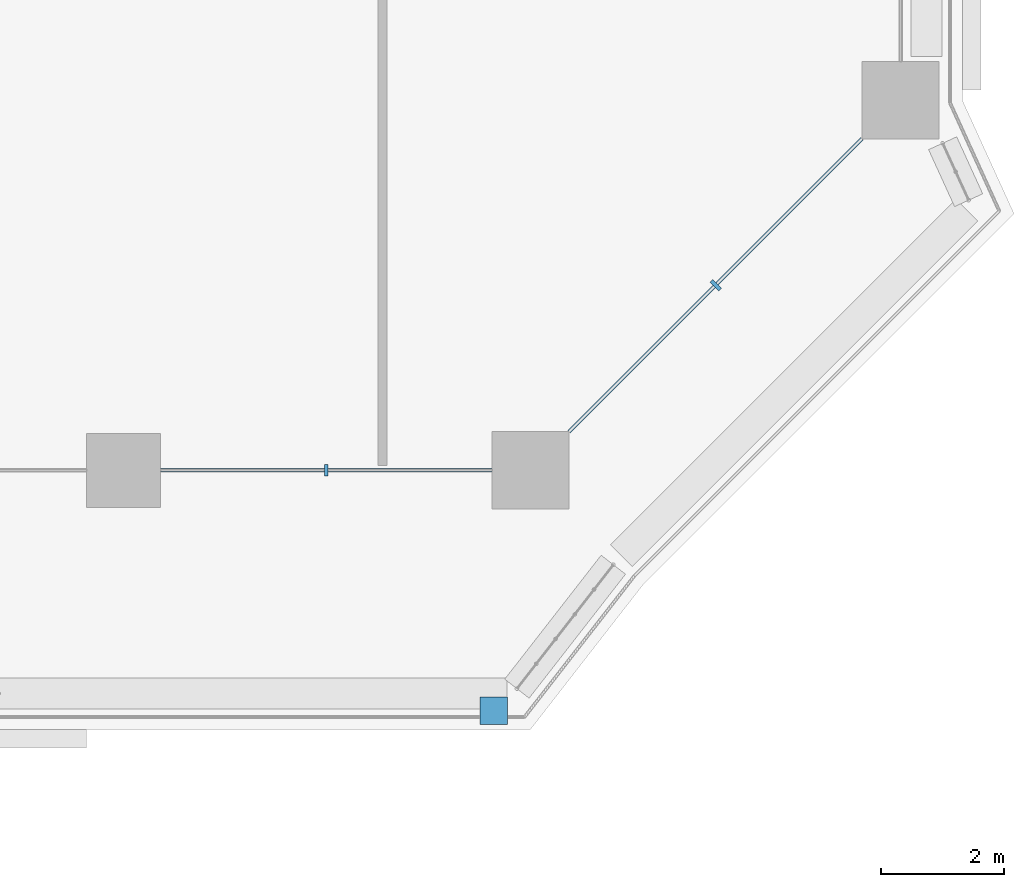
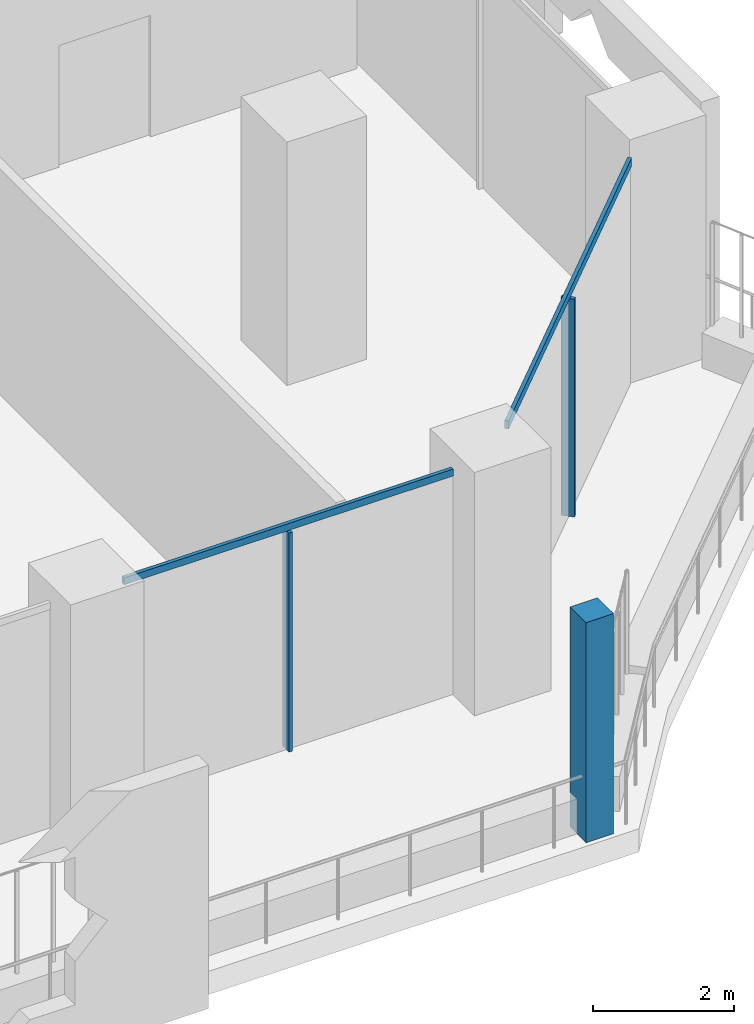
# One storey, part 6 of 27: 5 members, 3 elements without a shape of their own.
"""IFC4 building model written with IfcOpenShell, lengths in metres."""

from ifc_helpers import new_model, si_unit, direction, frame, origin, origin_2d, place, context, subcontext, project, spatial, rectangle, extrude, material, layer, layer_set, material_profile, profile_set, type_object, element, aggregate, save


model = new_model("IFC4")

# Units and contexts
model_context = context("Model", 3, precision=1e-05, world=origin(), true_north=direction((0.0, 1.0)))
body_context = subcontext(model_context, "Body", "Model", "MODEL_VIEW")
ifc_project = project(units=[si_unit("LENGTHUNIT", "METRE"), si_unit("AREAUNIT", "SQUARE_METRE"), si_unit("VOLUMEUNIT", "CUBIC_METRE"), si_unit("PLANEANGLEUNIT", "RADIAN"), si_unit("MASSUNIT", "GRAM", prefix="KILO")], contexts=[model_context])

# Site, building, storey
site_placement = place(None, origin())
site = spatial("IfcSite", under=ifc_project, at=site_placement, CompositionType="ELEMENT")
building_placement = place(site_placement, origin())
building = spatial("IfcBuilding", under=site, at=building_placement, Name="Kawkab Arch Medical Tower", CompositionType="ELEMENT")
storey_placement = place(building_placement, frame((0.0, 0.0, 39.199951171875)))
storey = spatial("IfcBuildingStorey", under=building, at=storey_placement, Name="L08", CompositionType="ELEMENT", Elevation=39.199951171875)

# Curtain wall, members
ifc_material_1 = material(Name="Bronze anodised aluminium curtain wall frame", Category="aluminium")
ifc_layer_1 = layer(ifc_material_1, 0.159912109375)
ifc_layer_set_1 = layer_set([ifc_layer_1], Name="Bronze anodised aluminium curtain wall frame")
curtain_wall_type_1 = type_object("IfcCurtainWallType", Name="CW1 ward curtain wall", PredefinedType="NOTDEFINED", material=ifc_layer_set_1)
placement = place(storey_placement, origin())
curtain_wall_1 = element("IfcCurtainWall", 1, at=placement, inside=storey, type_object=curtain_wall_type_1, Name="CW1 Ward curtain wall R05", PredefinedType="NOTDEFINED")
ifc_material_2 = material(Name="Bronze anodised aluminium curtain wall frame", Category="aluminium")
ifc_material_profile_1 = material_profile(ifc_material_2, rectangle(XDim=0.179931640625, YDim=0.06005859375, at=origin_2d()), Name="AL 60x180")
ifc_profile_set_1 = profile_set([ifc_material_profile_1], Name="Bronze anodised aluminium curtain wall frame")
member_type_1 = type_object("IfcMemberType", Name="CW1 mullion 60 x 180", PredefinedType="MULLION", material=ifc_profile_set_1)
member_1_placement = place(storey_placement, frame((70.487548828125, -25.199951171875, 0.0), z_axis=(0.0, 0.0, 1.0), x_axis=(0.0, 1.0, 0.0)))
member_1 = element("IfcMember", 2, at=member_1_placement, type_object=member_type_1, Name="CW1 mullion 3.1", PredefinedType="MULLION", context=body_context, shape_type="SweptSolid", body=[
    extrude(rectangle(XDim=0.179931640625, YDim=0.06005859375, at=origin_2d()), origin(), (0.0, 0.0, 1.0), 3.780029296875),
])
ifc_material_3 = material(Name="Bronze anodised aluminium curtain wall frame", Category="aluminium")
ifc_material_profile_2 = material_profile(ifc_material_3, rectangle(XDim=0.06005859375, YDim=0.1201171875, at=origin_2d()), Name="AL 60x120")
ifc_profile_set_2 = profile_set([ifc_material_profile_2], Name="Bronze anodised aluminium curtain wall frame")
member_type_2 = type_object("IfcMemberType", Name="CW1 transom 120 x 60", PredefinedType="USERDEFINED", material=ifc_profile_set_2)
member_2_placement = place(storey_placement, frame((67.800048828125, -25.199951171875, 3.840087890625), z_axis=(1.0, 0.0, 0.0), x_axis=(0.0, 1.0, 0.0)))
member_2 = element("IfcMember", 3, at=member_2_placement, type_object=member_type_2, Name="CW1 transom 3", ObjectType="TRANSOM", PredefinedType="USERDEFINED", context=body_context, shape_type="SweptSolid", body=[
    extrude(rectangle(XDim=0.06005859375, YDim=0.1201171875, at=origin_2d()), origin(), (0.0, 0.0, 1.0), 5.375),
])
aggregate(curtain_wall_1, [member_2, member_1])

ifc_material_4 = material(Name="Bronze anodised aluminium curtain wall frame", Category="aluminium")
ifc_layer_2 = layer(ifc_material_4, 0.159912109375)
ifc_layer_set_2 = layer_set([ifc_layer_2], Name="Bronze anodised aluminium curtain wall frame")
curtain_wall_type_2 = type_object("IfcCurtainWallType", Name="CW2 chamfer curtain wall", PredefinedType="NOTDEFINED", material=ifc_layer_set_2)
curtain_wall_2 = element("IfcCurtainWall", 4, at=placement, inside=storey, type_object=curtain_wall_type_2, Name="CW2 Chamfer curtain wall R06", PredefinedType="NOTDEFINED")
ifc_material_5 = material(Name="Bronze anodised aluminium curtain wall frame", Category="aluminium")
ifc_material_profile_3 = material_profile(ifc_material_5, rectangle(XDim=0.199951171875, YDim=0.06005859375, at=origin_2d()), Name="AL 60x200")
ifc_profile_set_3 = profile_set([ifc_material_profile_3], Name="Bronze anodised aluminium curtain wall frame")
member_type_3 = type_object("IfcMemberType", Name="CW2 mullion 60 x 200", PredefinedType="MULLION", material=ifc_profile_set_3)
member_3_placement = place(storey_placement, frame((76.800048828125, -22.199951171875, 0.0), z_axis=(0.0, 0.0, 1.0), x_axis=(-0.707106781187, 0.707106781187, 0.0)))
member_3 = element("IfcMember", 5, at=member_3_placement, type_object=member_type_3, Name="CW2 mullion 1.1", PredefinedType="MULLION", context=body_context, shape_type="SweptSolid", body=[
    extrude(rectangle(XDim=0.199951171875, YDim=0.06005859375, at=origin_2d()), origin(), (0.0, 0.0, 1.0), 3.760009765625),
])
ifc_material_6 = material(Name="Bronze anodised aluminium curtain wall frame", Category="aluminium")
ifc_material_profile_4 = material_profile(ifc_material_6, rectangle(XDim=0.06005859375, YDim=0.139892578125, at=origin_2d()), Name="AL 60x140")
ifc_profile_set_4 = profile_set([ifc_material_profile_4], Name="Bronze anodised aluminium curtain wall frame")
member_type_4 = type_object("IfcMemberType", Name="CW2 transom 140 x 60", PredefinedType="USERDEFINED", material=ifc_profile_set_4)
member_4_placement = place(storey_placement, frame((74.425048828125, -24.574951171875, 3.830078125), z_axis=(0.707106781187, 0.707106781187, 0.0), x_axis=(-0.707106781187, 0.707106781187, 0.0)))
member_4 = element("IfcMember", 6, at=member_4_placement, type_object=member_type_4, Name="CW2 transom 1", ObjectType="TRANSOM", PredefinedType="USERDEFINED", context=body_context, shape_type="SweptSolid", body=[
    extrude(rectangle(XDim=0.06005859375, YDim=0.139892578125, at=origin_2d()), origin(), (0.0, 0.0, 1.0), 6.717529296875),
])
aggregate(curtain_wall_2, [member_4, member_3])

# Curtain wall, member
ifc_material_7 = material(Name="Bronze anodised aluminium climber frame, planted", Category="aluminium")
ifc_layer_3 = layer(ifc_material_7, 0.449951171875)
ifc_layer_set_3 = layer_set([ifc_layer_3], Name="Bronze anodised aluminium climber frame, planted")
curtain_wall_type_3 = type_object("IfcCurtainWallType", Name="Planted climber frame", PredefinedType="NOTDEFINED", material=ifc_layer_set_3)
curtain_wall_3 = element("IfcCurtainWall", 7, at=placement, inside=storey, type_object=curtain_wall_type_3, Name="Planted climber frame L08", PredefinedType="NOTDEFINED")
ifc_material_8 = material(Name="Bronze anodised aluminium climber frame, planted", Category="aluminium")
ifc_material_profile_5 = material_profile(ifc_material_8, rectangle(XDim=0.449951171875, YDim=0.449951171875, at=origin_2d()), Name="Post 450x450")
ifc_profile_set_5 = profile_set([ifc_material_profile_5], Name="Bronze anodised aluminium climber frame, planted")
member_type_5 = type_object("IfcMemberType", Name="Planted climber post 450 x 450", PredefinedType="MULLION", material=ifc_profile_set_5)
member_5_placement = place(storey_placement, frame((73.202880859375, -29.10009765625, 0.0), z_axis=(0.0, 0.0, 1.0), x_axis=(1.0, 0.0, 0.0)))
member_5 = element("IfcMember", 8, at=member_5_placement, type_object=member_type_5, Name="Planted climber post L08.LOG-01-01.5", PredefinedType="MULLION", context=body_context, shape_type="SweptSolid", body=[
    extrude(rectangle(XDim=0.449951171875, YDim=0.449951171875, at=origin_2d()), origin(), (0.0, 0.0, 1.0), 3.800048828125),
])
aggregate(curtain_wall_3, [member_5])

save(model, "model.ifc")
